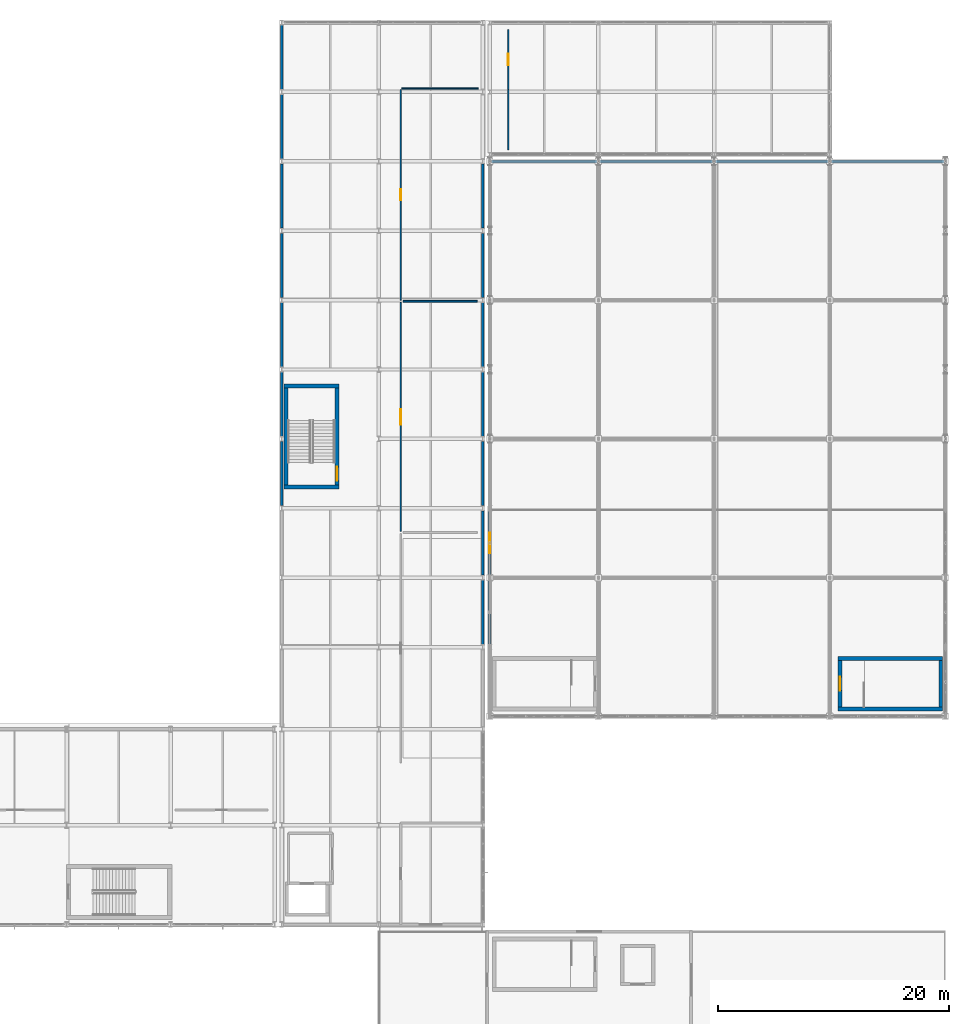
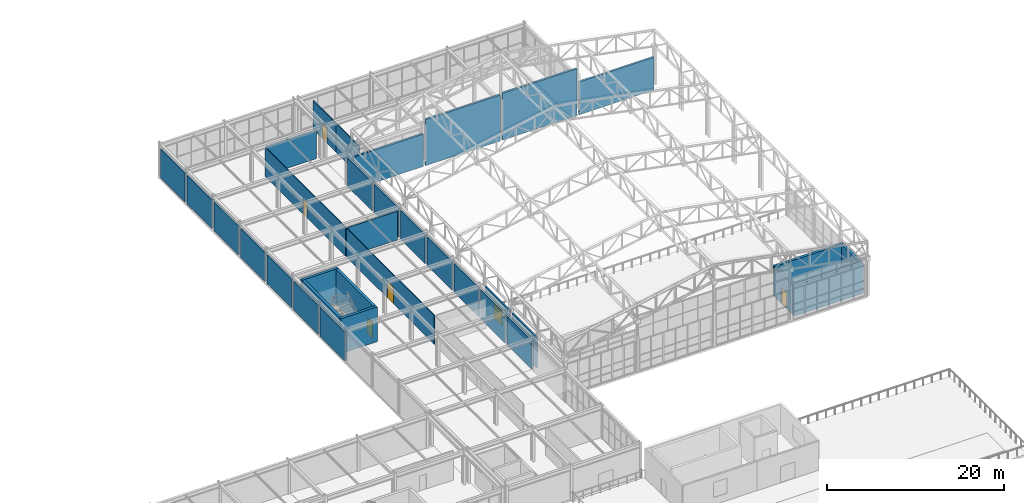
# One storey, part 97 of 112: 34 walls, 5 doors, 1 window, 6 openings.
"""IFC4 building model written with IfcOpenShell, lengths in metres."""

from ifc_helpers import new_model, si_unit, direction, frame, frame_2d, origin, place, context, subcontext, project, spatial, rectangle, extrude, material, layer, layer_set, type_object, element, fill, save


model = new_model("IFC4")

# Units and contexts
model_context = context("Model", 3, precision=1e-05, world=origin(), true_north=direction((0.0, 1.0)))
body_context = subcontext(model_context, "Body", "Model", "MODEL_VIEW")
ifc_project = project(units=[si_unit("LENGTHUNIT", "METRE"), si_unit("AREAUNIT", "SQUARE_METRE"), si_unit("VOLUMEUNIT", "CUBIC_METRE"), si_unit("PLANEANGLEUNIT", "RADIAN"), si_unit("MASSUNIT", "GRAM", prefix="KILO")], contexts=[model_context])

# Site, building, storey
site_placement = place(None, origin())
site = spatial("IfcSite", under=ifc_project, at=site_placement, CompositionType="ELEMENT")
building_placement = place(site_placement, origin())
building = spatial("IfcBuilding", under=site, at=building_placement, Name="Kaldris Quays Convention Centre", CompositionType="ELEMENT")
storey_placement = place(building_placement, frame((0.0, 0.0, 16.800048828125)))
storey = spatial("IfcBuildingStorey", under=building, at=storey_placement, Name="L03", CompositionType="ELEMENT", Elevation=16.800048828125)

# Walls
ifc_material_1 = material(Name="Precast concrete C40/50", Category="concrete")
ifc_layer_1 = layer(ifc_material_1, 0.263916015625)
ifc_layer_set_1 = layer_set([ifc_layer_1], Name="Precast concrete C40/50")
wall_type_1 = type_object("IfcWallType", Name="EXTERIOR WALL EW04", PredefinedType="STANDARD", material=ifc_layer_set_1)
wall_1_placement = place(storey_placement, frame((164.739990234375, 104.0, -0.804931640625), z_axis=(0.0, 0.0, 1.0), x_axis=(1.0, 0.0, 0.0)))
element("IfcWall", 1, at=wall_1_placement, inside=storey, type_object=wall_type_1, Name="L03 V2 North Gable Tympanum Wall 1", PredefinedType="STANDARD", context=body_context, shape_type="SweptSolid", body=[
    extrude(rectangle(XDim=9.1201171875, YDim=0.263916015625, at=frame_2d((4.56005859375, 0.0))), origin(), (0.0, 0.0, 1.0), 4.4619140625),
])
wall_2_placement = place(storey_placement, frame((174.139892578125, 104.0, -0.804931640625), z_axis=(0.0, 0.0, 1.0), x_axis=(1.0, 0.0, 0.0)))
element("IfcWall", 2, at=wall_2_placement, inside=storey, type_object=wall_type_1, Name="L03 V2 North Gable Tympanum Wall 2", PredefinedType="STANDARD", context=body_context, shape_type="SweptSolid", body=[
    extrude(rectangle(XDim=9.72021484375, YDim=0.263916015625, at=frame_2d((4.860107421875, 0.0))), origin(), (0.0, 0.0, 1.0), 6.332763671875),
])
wall_3_placement = place(storey_placement, frame((184.139892578125, 104.0, -0.804931640625), z_axis=(0.0, 0.0, 1.0), x_axis=(1.0, 0.0, 0.0)))
element("IfcWall", 3, at=wall_3_placement, inside=storey, type_object=wall_type_1, Name="L03 V2 North Gable Tympanum Wall 3", PredefinedType="STANDARD", context=body_context, shape_type="SweptSolid", body=[
    extrude(rectangle(XDim=9.72021484375, YDim=0.263916015625, at=frame_2d((4.860107421875, 0.0))), origin(), (0.0, 0.0, 1.0), 6.447998046875),
])
wall_4_placement = place(storey_placement, frame((194.139892578125, 104.0, -0.804931640625), z_axis=(0.0, 0.0, 1.0), x_axis=(1.0, 0.0, 0.0)))
element("IfcWall", 4, at=wall_4_placement, inside=storey, type_object=wall_type_1, Name="L03 V2 North Gable Tympanum Wall 4", PredefinedType="STANDARD", context=body_context, shape_type="SweptSolid", body=[
    extrude(rectangle(XDim=9.72021484375, YDim=0.263916015625, at=frame_2d((4.860107421875, 0.0))), origin(), (0.0, 0.0, 1.0), 4.518798828125),
])
ifc_material_2 = material(Name="Anodized aluminium insulated cassette", Category="aluminium")
ifc_layer_2 = layer(ifc_material_2, 0.221923828125)
ifc_layer_set_2 = layer_set([ifc_layer_2], Name="Anodized aluminium insulated cassette")
wall_type_2 = type_object("IfcWallType", Name="EXTERIOR WALL EW06", PredefinedType="STANDARD", material=ifc_layer_set_2)
for number, where, z_axis, x_axis, name in (
    (5, (164.0, 62.220947265625, 0.0), (0.0, 0.0, 1.0), (0.0, 1.0, 0.0), "L03 Exterior Wall EW06 327"),
    (6, (164.0, 68.220947265625, 0.0), (0.0, 0.0, 1.0), (0.0, 1.0, 0.0), "L03 Exterior Wall EW06 329"),
    (7, (164.0, 74.220947265625, 0.0), (0.0, 0.0, 1.0), (0.0, 1.0, 0.0), "L03 Exterior Wall EW06 331"),
    (8, (164.0, 80.220947265625, 0.0), (0.0, 0.0, 1.0), (0.0, 1.0, 0.0), "L03 Exterior Wall EW06 333"),
    (9, (164.0, 86.220947265625, 0.0), (0.0, 0.0, 1.0), (0.0, 1.0, 0.0), "L03 Exterior Wall EW06 335"),
    (10, (164.0, 92.220947265625, 0.0), (0.0, 0.0, 1.0), (0.0, 1.0, 0.0), "L03 Exterior Wall EW06 337"),
    (11, (164.0, 98.220947265625, 0.0), (0.0, 0.0, 1.0), (0.0, 1.0, 0.0), "L03 Exterior Wall EW06 339"),
):
    element("IfcWall", number, at=place(storey_placement, frame(where, z_axis=z_axis, x_axis=x_axis)), inside=storey, type_object=wall_type_2, Name=name, PredefinedType="STANDARD", context=body_context, shape_type="SweptSolid", body=[
        extrude(rectangle(XDim=5.55810546875, YDim=0.221923828125, at=frame_2d((2.779052734375, 0.0))), origin(), (0.0, 0.0, 1.0), 3.96484375),
    ])
ifc_layer_3 = layer(ifc_material_2, 0.201904296875)
ifc_layer_set_3 = layer_set([ifc_layer_3], Name="Anodized aluminium insulated cassette")
wall_type_3 = type_object("IfcWallType", Name="EXTERIOR WALL EW07", PredefinedType="STANDARD", material=ifc_layer_set_3)
wall_5_placement = place(storey_placement, frame((164.60009765625, 62.24609375, 0.0), z_axis=(0.0, 0.0, 1.0), x_axis=(0.0, 1.0, 0.0)))
element("IfcWall", 12, at=wall_5_placement, inside=storey, type_object=wall_type_3, Name="L03 Exterior Wall EW07 151", PredefinedType="STANDARD", context=body_context, shape_type="SweptSolid", body=[
    extrude(rectangle(XDim=5.5078125, YDim=0.201904296875, at=frame_2d((2.75390625, 0.0))), origin(), (0.0, 0.0, 1.0), 4.199951171875),
])

# Wall, opening, window
wall_6_placement = place(storey_placement, frame((164.60009765625, 68.24609375, 0.0), z_axis=(0.0, 0.0, 1.0), x_axis=(0.0, 1.0, 0.0)))
wall_6 = element("IfcWall", 13, at=wall_6_placement, inside=storey, type_object=wall_type_3, Name="L03 Exterior Wall EW07 152", PredefinedType="STANDARD", context=body_context, shape_type="SweptSolid", body=[
    extrude(rectangle(XDim=5.5078125, YDim=0.201904296875, at=frame_2d((2.75390625, 0.0))), origin(), (0.0, 0.0, 1.0), 4.199951171875),
])
opening_1_placement = place(wall_6_placement, frame((1.85400390625, 0.0, 1.0)))
opening_1 = element("IfcOpeningElement", 14, at=opening_1_placement, cuts=wall_6, Name="Opening WN03", PredefinedType="OPENING", context=body_context, shape_type="SweptSolid", body=[
    extrude(rectangle(XDim=1.800048828125, YDim=2.10009765625, at=frame_2d((0.89990234375, 1.050048828125))), frame((0.0, 0.11083984375, 0.0), z_axis=(0.0, -1.0, 0.0), x_axis=(1.0, 0.0, 0.0)), (0.0, 0.0, 1.0), 0.221923828125),
])
ifc_material_3 = material(Name="Triple low-E insulated glazing", Category="glass")
window_type = type_object("IfcWindowType", Name="TRIPLE GLAZED WINDOW WN03", PartitioningType="SINGLE_PANEL", PredefinedType="WINDOW", material=ifc_material_3)
window_placement = place(opening_1_placement, origin())
window = element("IfcWindow", 15, at=window_placement, inside=storey, type_object=window_type, Name="L03 Exterior Window WN03 59", OverallHeight=2.10009765625, OverallWidth=1.800048828125, PartitioningType="SINGLE_PANEL", PredefinedType="WINDOW", context=body_context, shape_type="SweptSolid", body=[
    extrude(rectangle(XDim=1.800048828125, YDim=2.10009765625, at=frame_2d((0.89990234375, 1.050048828125))), frame((0.0, 0.030029296875, 0.0), z_axis=(0.0, -1.0, 0.0), x_axis=(1.0, 0.0, 0.0)), (0.0, 0.0, 1.0), 0.06005859375),
])
fill(opening_1, window)

# Walls
for number, where, z_axis, x_axis, name in (
    (16, (146.60009765625, 74.220947265625, 0.0), (0.0, 0.0, 1.0), (0.0, 1.0, 0.0), "L03 Exterior Wall EW07 332"),
    (17, (146.60009765625, 80.220947265625, 0.0), (0.0, 0.0, 1.0), (0.0, 1.0, 0.0), "L03 Exterior Wall EW07 334"),
    (18, (146.60009765625, 86.220947265625, 0.0), (0.0, 0.0, 1.0), (0.0, 1.0, 0.0), "L03 Exterior Wall EW07 336"),
    (19, (146.60009765625, 92.220947265625, 0.0), (0.0, 0.0, 1.0), (0.0, 1.0, 0.0), "L03 Exterior Wall EW07 338"),
    (20, (146.60009765625, 98.220947265625, 0.0), (0.0, 0.0, 1.0), (0.0, 1.0, 0.0), "L03 Exterior Wall EW07 340"),
):
    element("IfcWall", number, at=place(storey_placement, frame(where, z_axis=z_axis, x_axis=x_axis)), inside=storey, type_object=wall_type_3, Name=name, PredefinedType="STANDARD", context=body_context, shape_type="SweptSolid", body=[
        extrude(rectangle(XDim=5.55810546875, YDim=0.201904296875, at=frame_2d((2.779052734375, 0.0))), origin(), (0.0, 0.0, 1.0), 3.96484375),
    ])
for number, where, z_axis, x_axis, name in (
    (21, (146.60009765625, 104.220947265625, 0.0), (0.0, 0.0, 1.0), (0.0, 1.0, 0.0), "L03 Exterior Wall EW07 341"),
    (22, (146.60009765625, 110.220947265625, 0.0), (0.0, 0.0, 1.0), (0.0, 1.0, 0.0), "L03 Exterior Wall EW07 342"),
):
    element("IfcWall", number, at=place(storey_placement, frame(where, z_axis=z_axis, x_axis=x_axis)), inside=storey, type_object=wall_type_3, Name=name, PredefinedType="STANDARD", context=body_context, shape_type="SweptSolid", body=[
        extrude(rectangle(XDim=5.55810546875, YDim=0.201904296875, at=frame_2d((2.779052734375, 0.0))), origin(), (0.0, 0.0, 1.0), 3.967041015625),
    ])

# Wall, opening, door
ifc_material_4 = material(Name="Acoustic gypsum stud partition", Category="gypsum")
ifc_layer_4 = layer(ifc_material_4, 0.1201171875)
ifc_layer_set_4 = layer_set([ifc_layer_4], Name="Acoustic gypsum stud partition")
wall_type_4 = type_object("IfcWallType", Name="INTERIOR WALL IW06", PredefinedType="PARTITIONING", material=ifc_layer_set_4)
wall_7_placement = place(storey_placement, frame((166.199951171875, 110.199951171875, 0.0), z_axis=(0.0, 0.0, 1.0), x_axis=(0.0, 1.0, 0.0)))
wall_7 = element("IfcWall", 23, at=wall_7_placement, inside=storey, type_object=wall_type_4, Name="L03 Interior Wall IW06 117", PredefinedType="PARTITIONING", context=body_context, shape_type="SweptSolid", body=[
    extrude(rectangle(XDim=5.199951171875, YDim=0.1201171875, at=frame_2d((2.60009765625, 0.0))), origin(), (0.0, 0.0, 1.0), 3.967041015625),
])
opening_2_placement = place(wall_7_placement, frame((2.10009765625, 0.0, 0.0)))
opening_2 = element("IfcOpeningElement", 24, at=opening_2_placement, cuts=wall_7, Name="Opening ID04", PredefinedType="OPENING", context=body_context, shape_type="SweptSolid", body=[
    extrude(rectangle(XDim=1.0, YDim=2.14990234375, at=frame_2d((0.5, 1.074951171875))), frame((0.0, 0.070068359375, 0.0), z_axis=(0.0, -1.0, 0.0), x_axis=(1.0, 0.0, 0.0)), (0.0, 0.0, 1.0), 0.14013671875),
])
ifc_material_5 = material(Name="Timber acoustic leaf in steel frame", Category="steel")
door_type_1 = type_object("IfcDoorType", Name="INTERIOR DOOR ID04", OperationType="NOTDEFINED", PredefinedType="DOOR", material=ifc_material_5)
door_1_placement = place(opening_2_placement, origin())
door_1 = element("IfcDoor", 25, at=door_1_placement, inside=storey, type_object=door_type_1, Name="L03 Interior Door ID04 78", OperationType="SINGLE_SWING_RIGHT", OverallHeight=2.14990234375, OverallWidth=1.0, PredefinedType="DOOR", context=body_context, shape_type="SweptSolid", body=[
    extrude(rectangle(XDim=1.0, YDim=2.14990234375, at=frame_2d((0.5, 1.074951171875))), frame((0.0, 0.02490234375, 0.0), z_axis=(0.0, -1.0, 0.0), x_axis=(1.0, 0.0, 0.0)), (0.0, 0.0, 1.0), 0.050048828125),
])
fill(opening_2, door_1)

# Wall
wall_8_placement = place(storey_placement, frame((166.199951171875, 105.0, 0.0), z_axis=(0.0, 0.0, 1.0), x_axis=(0.0, 1.0, 0.0)))
element("IfcWall", 26, at=wall_8_placement, inside=storey, type_object=wall_type_4, Name="L03 Interior Wall IW06 118", PredefinedType="PARTITIONING", context=body_context, shape_type="SweptSolid", body=[
    extrude(rectangle(XDim=5.199951171875, YDim=0.1201171875, at=frame_2d((2.60009765625, 0.0))), origin(), (0.0, 0.0, 1.0), 3.967041015625),
])

# Wall, opening, door
ifc_layer_5 = layer(ifc_material_4, 0.10595703125)
ifc_layer_set_5 = layer_set([ifc_layer_5], Name="Acoustic gypsum stud partition")
wall_type_5 = type_object("IfcWallType", Name="INTERIOR WALL IW07", PredefinedType="PARTITIONING", material=ifc_layer_set_5)
wall_9_placement = place(storey_placement, frame((156.89990234375, 72.0, 0.0), z_axis=(0.0, 0.0, 1.0), x_axis=(0.0, 1.0, 0.0)))
wall_9 = element("IfcWall", 27, at=wall_9_placement, inside=storey, type_object=wall_type_5, Name="L03 Interior Wall IW07 112", PredefinedType="PARTITIONING", context=body_context, shape_type="SweptSolid", body=[
    extrude(rectangle(XDim=19.800048828125, YDim=0.10595703125, at=frame_2d((9.89990234375, 0.0))), origin(), (0.0, 0.0, 1.0), 3.96484375),
])
opening_3_placement = place(wall_9_placement, frame((9.219970703125, 0.0, 0.0)))
opening_3 = element("IfcOpeningElement", 28, at=opening_3_placement, cuts=wall_9, Name="Opening ID21", PredefinedType="OPENING", context=body_context, shape_type="SweptSolid", body=[
    extrude(rectangle(XDim=1.360107421875, YDim=2.300048828125, at=frame_2d((0.68017578125, 1.14990234375))), frame((0.0, 0.06298828125, 0.0), z_axis=(0.0, -1.0, 0.0), x_axis=(1.0, 0.0, 0.0)), (0.0, 0.0, 1.0), 0.1259765625),
])
ifc_material_6 = material(Name="Timber seminar room door", Category="wood")
door_type_2 = type_object("IfcDoorType", Name="INTERIOR DOOR ID21", OperationType="NOTDEFINED", PredefinedType="DOOR", material=ifc_material_6)
door_2_placement = place(opening_3_placement, origin())
door_2 = element("IfcDoor", 29, at=door_2_placement, inside=storey, type_object=door_type_2, Name="L03 Interior Door ID21 76", OperationType="SINGLE_SWING_RIGHT", OverallHeight=2.300048828125, OverallWidth=1.360107421875, PredefinedType="DOOR", context=body_context, shape_type="SweptSolid", body=[
    extrude(rectangle(XDim=1.360107421875, YDim=2.300048828125, at=frame_2d((0.68017578125, 1.14990234375))), frame((0.0, 0.02490234375, 0.0), z_axis=(0.0, -1.0, 0.0), x_axis=(1.0, 0.0, 0.0)), (0.0, 0.0, 1.0), 0.050048828125),
])
fill(opening_3, door_2)

wall_10_placement = place(storey_placement, frame((156.89990234375, 92.0, 0.0), z_axis=(0.0, 0.0, 1.0), x_axis=(0.0, 1.0, 0.0)))
wall_10 = element("IfcWall", 30, at=wall_10_placement, inside=storey, type_object=wall_type_5, Name="L03 Interior Wall IW07 113", PredefinedType="PARTITIONING", context=body_context, shape_type="SweptSolid", body=[
    extrude(rectangle(XDim=18.199951171875, YDim=0.10595703125, at=frame_2d((9.10009765625, 0.0))), origin(), (0.0, 0.0, 1.0), 3.96484375),
])
opening_4_placement = place(wall_10_placement, frame((8.6298828125, 0.0, 0.0)))
opening_4 = element("IfcOpeningElement", 31, at=opening_4_placement, cuts=wall_10, Name="Opening ID01", PredefinedType="OPENING", context=body_context, shape_type="SweptSolid", body=[
    extrude(rectangle(XDim=0.93994140625, YDim=2.1201171875, at=frame_2d((0.469970703125, 1.06005859375))), frame((0.0, 0.06298828125, 0.0), z_axis=(0.0, -1.0, 0.0), x_axis=(1.0, 0.0, 0.0)), (0.0, 0.0, 1.0), 0.1259765625),
])
door_type_3 = type_object("IfcDoorType", Name="INTERIOR DOOR ID01", OperationType="NOTDEFINED", PredefinedType="DOOR", material=ifc_material_5)
door_3_placement = place(opening_4_placement, origin())
door_3 = element("IfcDoor", 32, at=door_3_placement, inside=storey, type_object=door_type_3, Name="L03 Interior Door ID01 77", OperationType="SINGLE_SWING_LEFT", OverallHeight=2.1201171875, OverallWidth=0.93994140625, PredefinedType="DOOR", context=body_context, shape_type="SweptSolid", body=[
    extrude(rectangle(XDim=0.93994140625, YDim=2.1201171875, at=frame_2d((0.469970703125, 1.06005859375))), frame((0.0, 0.02490234375, 0.0), z_axis=(0.0, -1.0, 0.0), x_axis=(1.0, 0.0, 0.0)), (0.0, 0.0, 1.0), 0.050048828125),
])
fill(opening_4, door_3)

# Walls
wall_11_placement = place(storey_placement, frame((157.0, 110.300048828125, 0.0), z_axis=(0.0, 0.0, 1.0), x_axis=(1.0, 0.0, 0.0)))
element("IfcWall", 33, at=wall_11_placement, inside=storey, type_object=wall_type_5, Name="L03 Interior Wall IW07 114", PredefinedType="PARTITIONING", context=body_context, shape_type="SweptSolid", body=[
    extrude(rectangle(XDim=6.60009765625, YDim=0.10595703125, at=frame_2d((3.300048828125, 0.0))), origin(), (0.0, 0.0, 1.0), 3.967041015625),
])
ifc_material_7 = material(Name="Steel S355J2 acoustic operable panel", Category="steel")
ifc_layer_6 = layer(ifc_material_7, 0.14208984375)
ifc_layer_set_6 = layer_set([ifc_layer_6], Name="Steel S355J2 acoustic operable panel")
wall_type_6 = type_object("IfcWallType", Name="INTERIOR WALL MW01", PredefinedType="MOVABLE", material=ifc_layer_set_6)
wall_12_placement = place(storey_placement, frame((157.10009765625, 91.89990234375, 0.0), z_axis=(0.0, 0.0, 1.0), x_axis=(1.0, 0.0, 0.0)))
element("IfcWall", 34, at=wall_12_placement, inside=storey, type_object=wall_type_6, Name="L03 Interior Wall MW01 116", PredefinedType="MOVABLE", context=body_context, shape_type="SweptSolid", body=[
    extrude(rectangle(XDim=6.39990234375, YDim=0.14208984375, at=frame_2d((3.199951171875, 0.0))), origin(), (0.0, 0.0, 1.0), 3.96484375),
])
ifc_material_8 = material(Name="Concrete C40/50", Category="concrete")
ifc_layer_7 = layer(ifc_material_8, 0.35009765625)
ifc_layer_set_7 = layer_set([ifc_layer_7], Name="Concrete C40/50")
wall_type_7 = type_object("IfcWallType", Name="STRUCTURAL WALL SW01", PredefinedType="SHEAR", material=ifc_layer_set_7)
for number, where, z_axis, x_axis, name in (
    (35, (146.800048828125, 75.824951171875, 0.0), (0.0, 0.0, 1.0), (1.0, 0.0, 0.0), "L03 Core Shear Wall CORE-ST14-L03-S"),
    (36, (146.800048828125, 84.574951171875, 0.0), (0.0, 0.0, 1.0), (1.0, 0.0, 0.0), "L03 Core Shear Wall CORE-ST14-L03-N"),
):
    element("IfcWall", number, at=place(storey_placement, frame(where, z_axis=z_axis, x_axis=x_axis)), inside=storey, type_object=wall_type_7, Name=name, PredefinedType="SHEAR", context=body_context, shape_type="SweptSolid", body=[
        extrude(rectangle(XDim=4.75, YDim=0.35009765625, at=frame_2d((2.375, 0.0))), origin(), (0.0, 0.0, 1.0), 4.800048828125),
    ])
wall_13_placement = place(storey_placement, frame((146.97509765625, 76.0, 0.0), z_axis=(0.0, 0.0, 1.0), x_axis=(0.0, 1.0, 0.0)))
element("IfcWall", 37, at=wall_13_placement, inside=storey, type_object=wall_type_7, Name="L03 Core Shear Wall CORE-ST14-L03-W", PredefinedType="SHEAR", context=body_context, shape_type="SweptSolid", body=[
    extrude(rectangle(XDim=8.39990234375, YDim=0.35009765625, at=frame_2d((4.199951171875, 0.0))), origin(), (0.0, 0.0, 1.0), 4.800048828125),
])

# Wall, opening, door
wall_14_placement = place(storey_placement, frame((151.375, 76.0, 0.0), z_axis=(0.0, 0.0, 1.0), x_axis=(0.0, 1.0, 0.0)))
wall_14 = element("IfcWall", 38, at=wall_14_placement, inside=storey, type_object=wall_type_7, Name="L03 Core Shear Wall CORE-ST14-L03-E", PredefinedType="SHEAR", context=body_context, shape_type="SweptSolid", body=[
    extrude(rectangle(XDim=8.39990234375, YDim=0.35009765625, at=frame_2d((4.199951171875, 0.0))), origin(), (0.0, 0.0, 1.0), 4.800048828125),
])
opening_5_placement = place(wall_14_placement, frame((0.375, 0.0, 0.0)))
opening_5 = element("IfcOpeningElement", 39, at=opening_5_placement, cuts=wall_14, Name="Opening ID03", PredefinedType="OPENING", context=body_context, shape_type="SweptSolid", body=[
    extrude(rectangle(XDim=1.199951171875, YDim=2.199951171875, at=frame_2d((0.60009765625, 1.10009765625))), frame((0.0, 0.18505859375, 0.0), z_axis=(0.0, -1.0, 0.0), x_axis=(1.0, 0.0, 0.0)), (0.0, 0.0, 1.0), 0.3701171875),
])
ifc_material_9 = material(Name="Steel S355J2 fire-resisting door", Category="steel")
door_type_4 = type_object("IfcDoorType", Name="INTERIOR DOOR ID03", OperationType="NOTDEFINED", PredefinedType="DOOR", material=ifc_material_9)
door_4_placement = place(opening_5_placement, origin())
door_4 = element("IfcDoor", 40, at=door_4_placement, inside=storey, type_object=door_type_4, Name="L03 Escape Stair ST14 Fire Door", OperationType="SINGLE_SWING_LEFT", OverallHeight=2.199951171875, OverallWidth=1.199951171875, PredefinedType="DOOR", context=body_context, shape_type="SweptSolid", body=[
    extrude(rectangle(XDim=1.199951171875, YDim=2.199951171875, at=frame_2d((0.60009765625, 1.10009765625))), frame((0.0, 0.02490234375, 0.0), z_axis=(0.0, -1.0, 0.0), x_axis=(1.0, 0.0, 0.0)), (0.0, 0.0, 1.0), 0.050048828125),
])
fill(opening_5, door_4)

# Walls
ifc_layer_8 = layer(ifc_material_8, 0.320068359375)
ifc_layer_set_8 = layer_set([ifc_layer_8], Name="Concrete C40/50")
wall_type_8 = type_object("IfcWallType", Name="STRUCTURAL WALL SW02", PredefinedType="SHEAR", material=ifc_layer_set_8)
for number, where, z_axis, x_axis, name in (
    (41, (194.72998046875, 56.639892578125, 0.0), (0.0, 0.0, 1.0), (1.0, 0.0, 0.0), "L03 Core Shear Wall CORE-ST09-L03-S"),
    (42, (194.72998046875, 61.010009765625, 0.0), (0.0, 0.0, 1.0), (1.0, 0.0, 0.0), "L03 Core Shear Wall CORE-ST09-L03-N"),
):
    element("IfcWall", number, at=place(storey_placement, frame(where, z_axis=z_axis, x_axis=x_axis)), inside=storey, type_object=wall_type_8, Name=name, PredefinedType="SHEAR", context=body_context, shape_type="SweptSolid", body=[
        extrude(rectangle(XDim=9.0400390625, YDim=0.320068359375, at=frame_2d((4.52001953125, 0.0))), origin(), (0.0, 0.0, 1.0), 4.199951171875),
    ])

# Wall, opening, door
wall_15_placement = place(storey_placement, frame((194.889892578125, 56.800048828125, 0.0), z_axis=(0.0, 0.0, 1.0), x_axis=(0.0, 1.0, 0.0)))
wall_15 = element("IfcWall", 43, at=wall_15_placement, inside=storey, type_object=wall_type_8, Name="L03 Core Shear Wall CORE-ST09-L03-W", PredefinedType="SHEAR", context=body_context, shape_type="SweptSolid", body=[
    extrude(rectangle(XDim=4.050048828125, YDim=0.320068359375, at=frame_2d((2.02490234375, 0.0))), origin(), (0.0, 0.0, 1.0), 4.199951171875),
])
opening_6_placement = place(wall_15_placement, frame((1.425048828125, 0.0, 0.0)))
opening_6 = element("IfcOpeningElement", 44, at=opening_6_placement, cuts=wall_15, Name="Opening ID03", PredefinedType="OPENING", context=body_context, shape_type="SweptSolid", body=[
    extrude(rectangle(XDim=1.199951171875, YDim=2.199951171875, at=frame_2d((0.60009765625, 1.10009765625))), frame((0.0, 0.169921875, 0.0), z_axis=(0.0, -1.0, 0.0), x_axis=(1.0, 0.0, 0.0)), (0.0, 0.0, 1.0), 0.340087890625),
])
door_5_placement = place(opening_6_placement, frame((1.199951171875, 0.0, 0.0), z_axis=(0.0, 0.0, 1.0), x_axis=(-1.0, 0.0, 0.0)))
door_5 = element("IfcDoor", 45, at=door_5_placement, inside=storey, type_object=door_type_4, Name="L03 Escape Stair ST09 Fire Door", OperationType="SINGLE_SWING_RIGHT", OverallHeight=2.199951171875, OverallWidth=1.199951171875, PredefinedType="DOOR", context=body_context, shape_type="SweptSolid", body=[
    extrude(rectangle(XDim=1.199951171875, YDim=2.199951171875, at=frame_2d((0.60009765625, 1.10009765625))), frame((0.0, 0.02490234375, 0.0), z_axis=(0.0, -1.0, 0.0), x_axis=(1.0, 0.0, 0.0)), (0.0, 0.0, 1.0), 0.050048828125),
])
fill(opening_6, door_5)

# Wall
wall_16_placement = place(storey_placement, frame((203.610107421875, 56.800048828125, 0.0), z_axis=(0.0, 0.0, 1.0), x_axis=(0.0, 1.0, 0.0)))
element("IfcWall", 46, at=wall_16_placement, inside=storey, type_object=wall_type_8, Name="L03 Core Shear Wall CORE-ST09-L03-E", PredefinedType="SHEAR", context=body_context, shape_type="SweptSolid", body=[
    extrude(rectangle(XDim=4.050048828125, YDim=0.320068359375, at=frame_2d((2.02490234375, 0.0))), origin(), (0.0, 0.0, 1.0), 4.199951171875),
])

save(model, "model.ifc")
